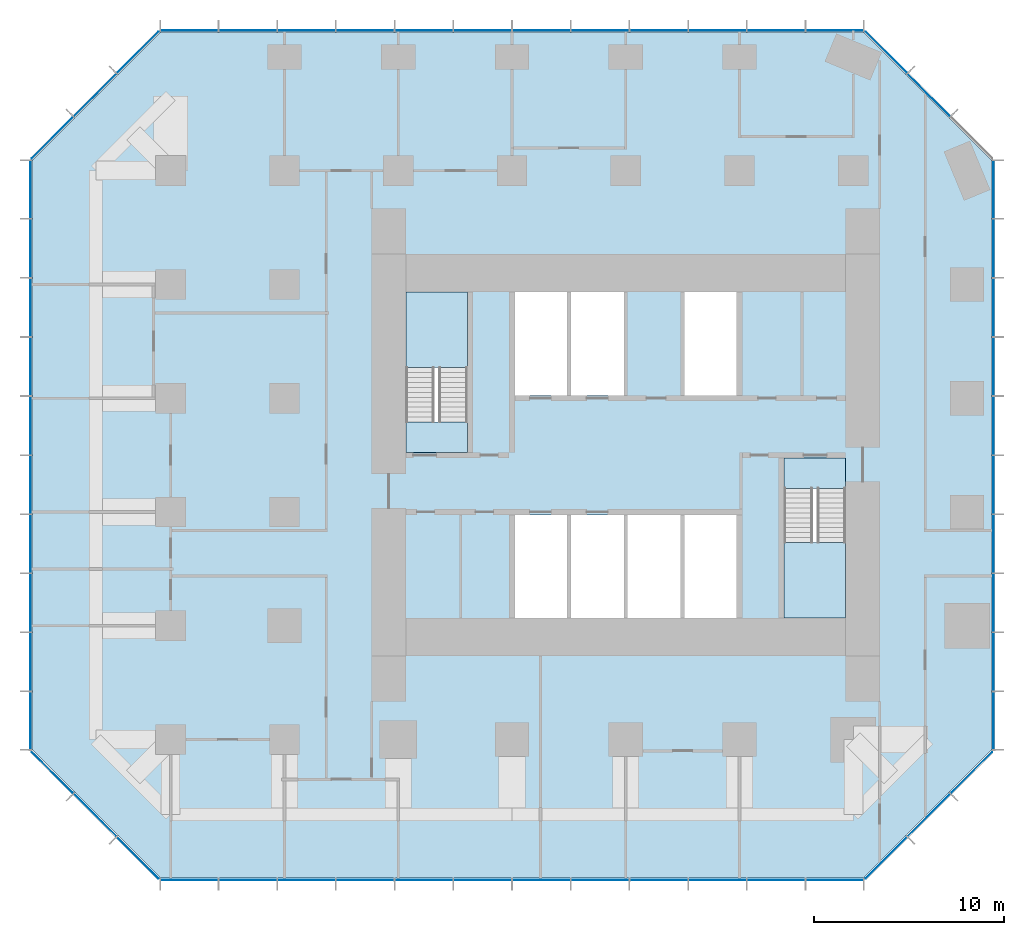
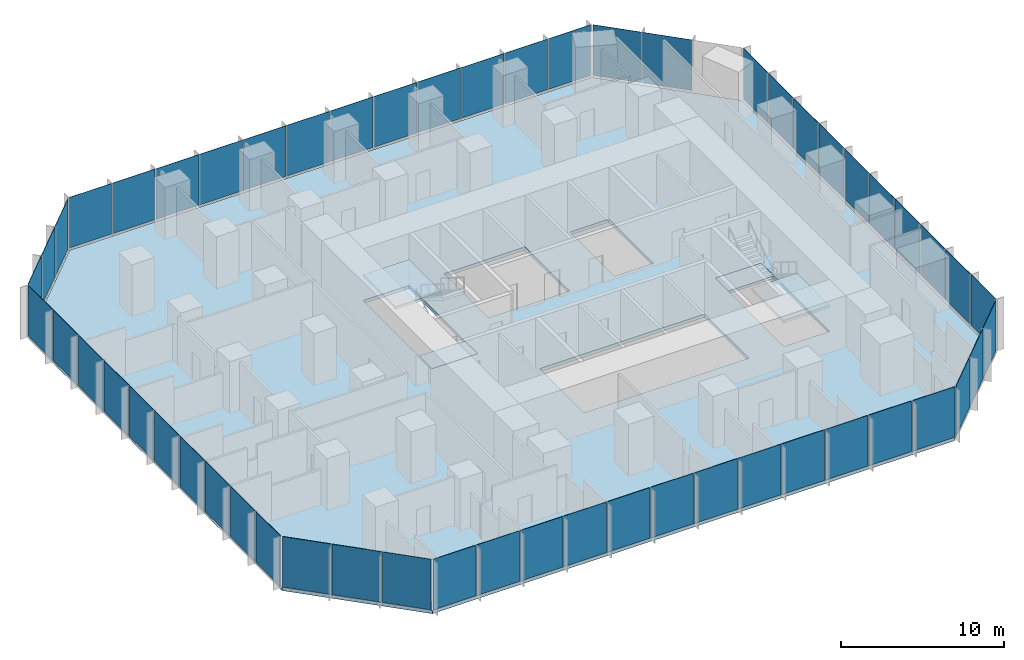
# One storey, part 7 of 11: 55 plates, 5 slabs, 10 elements without a shape of their own.
"""IFC4 building model written with IfcOpenShell, lengths in metres."""

from ifc_helpers import new_model, si_unit, direction, frame, origin, origin_2d, place, context, subcontext, project, spatial, polyline, rectangle, outline, extrude, material, layer, layer_set, type_object, element, aggregate, save


model = new_model("IFC4")

# Units and contexts
model_context = context("Model", 3, precision=1e-05, world=origin(), true_north=direction((0.0, 1.0)))
body_context = subcontext(model_context, "Body", "Model", "MODEL_VIEW")
ifc_project = project(units=[si_unit("LENGTHUNIT", "METRE"), si_unit("AREAUNIT", "SQUARE_METRE"), si_unit("VOLUMEUNIT", "CUBIC_METRE"), si_unit("PLANEANGLEUNIT", "RADIAN"), si_unit("MASSUNIT", "GRAM", prefix="KILO")], contexts=[model_context])

# Site, building, storey
site_placement = place(None, origin())
site = spatial("IfcSite", under=ifc_project, at=site_placement, CompositionType="ELEMENT")
building_placement = place(site_placement, origin())
building = spatial("IfcBuilding", under=site, at=building_placement, Name="Highveld Stack Headquarters", CompositionType="ELEMENT")
storey_placement = place(building_placement, frame((0.0, 0.0, 121.10009765625)))
storey = spatial("IfcBuildingStorey", under=building, at=storey_placement, Name="L29", CompositionType="ELEMENT", Elevation=121.10009765625)

# Curtain wall, plates
ifc_material_1 = material(Name="Aluminium bronze anodised", Category="aluminium")
ifc_layer_1 = layer(ifc_material_1, 0.199951171875)
ifc_layer_set_1 = layer_set([ifc_layer_1], Name="Aluminium bronze anodised")
curtain_wall_type_1 = type_object("IfcCurtainWallType", Name="CW1 TOWER UNITISED CURTAIN WALL", PredefinedType="NOTDEFINED", material=ifc_layer_set_1)
curtain_wall_1_placement = place(storey_placement, origin())
curtain_wall_1 = element("IfcCurtainWall", 1, at=curtain_wall_1_placement, inside=storey, type_object=curtain_wall_type_1, Name="Curtain wall CW1 L29 S", PredefinedType="NOTDEFINED")
ifc_material_2 = material(Name="Glass bronze tinted double glazed unit", Category="glass")
ifc_layer_2 = layer(ifc_material_2, 0.028076171875)
ifc_layer_set_2 = layer_set([ifc_layer_2], Name="Glass bronze tinted double glazed unit")
plate_type_1 = type_object("IfcPlateType", Name="CW1 PANEL BRONZE TINTED DOUBLE GLAZED UNIT", PredefinedType="CURTAIN_PANEL", material=ifc_layer_set_2)
plate_1_placement = place(storey_placement, frame((-17.015380859375, -19.39990234375, 0.10009765625), z_axis=(0.0, 0.0, 1.0), x_axis=(1.0, 0.0, 0.0)))
plate_1 = element("IfcPlate", 2, at=plate_1_placement, type_object=plate_type_1, Name="CW1 panel L29 1.1", PredefinedType="CURTAIN_PANEL", context=body_context, shape_type="SweptSolid", body=[
    extrude(rectangle(XDim=2.9990234375, YDim=0.028076171875, at=origin_2d()), origin(), (0.0, 0.0, 1.0), 3.800048828125),
])
plate_2_placement = place(storey_placement, frame((-13.934814453125, -19.39990234375, 0.10009765625), z_axis=(0.0, 0.0, 1.0), x_axis=(1.0, 0.0, 0.0)))
plate_2 = element("IfcPlate", 3, at=plate_2_placement, type_object=plate_type_1, Name="CW1 panel L29 2.1", PredefinedType="CURTAIN_PANEL", context=body_context, shape_type="SweptSolid", body=[
    extrude(rectangle(XDim=3.031494140625, YDim=0.028076171875, at=origin_2d()), origin(), (0.0, 0.0, 1.0), 3.800048828125),
])
plate_3_placement = place(storey_placement, frame((-10.83837890625, -19.39990234375, 0.10009765625), z_axis=(0.0, 0.0, 1.0), x_axis=(1.0, 0.0, 0.0)))
plate_3 = element("IfcPlate", 4, at=plate_3_placement, type_object=plate_type_1, Name="CW1 panel L29 3.1", PredefinedType="CURTAIN_PANEL", context=body_context, shape_type="SweptSolid", body=[
    extrude(rectangle(XDim=3.031494140625, YDim=0.028076171875, at=origin_2d()), origin(), (0.0, 0.0, 1.0), 3.800048828125),
])
plate_4_placement = place(storey_placement, frame((-7.74169921875, -19.39990234375, 0.10009765625), z_axis=(0.0, 0.0, 1.0), x_axis=(1.0, 0.0, 0.0)))
plate_4 = element("IfcPlate", 5, at=plate_4_placement, type_object=plate_type_1, Name="CW1 panel L29 4.1", PredefinedType="CURTAIN_PANEL", context=body_context, shape_type="SweptSolid", body=[
    extrude(rectangle(XDim=3.031494140625, YDim=0.028076171875, at=origin_2d()), origin(), (0.0, 0.0, 1.0), 3.800048828125),
])
plate_5_placement = place(storey_placement, frame((-4.64501953125, -19.39990234375, 0.10009765625), z_axis=(0.0, 0.0, 1.0), x_axis=(1.0, 0.0, 0.0)))
plate_5 = element("IfcPlate", 6, at=plate_5_placement, type_object=plate_type_1, Name="CW1 panel L29 5.1", PredefinedType="CURTAIN_PANEL", context=body_context, shape_type="SweptSolid", body=[
    extrude(rectangle(XDim=3.031494140625, YDim=0.028076171875, at=origin_2d()), origin(), (0.0, 0.0, 1.0), 3.800048828125),
])
plate_6_placement = place(storey_placement, frame((-1.54833984375, -19.39990234375, 0.10009765625), z_axis=(0.0, 0.0, 1.0), x_axis=(1.0, 0.0, 0.0)))
plate_6 = element("IfcPlate", 7, at=plate_6_placement, type_object=plate_type_1, Name="CW1 panel L29 6.1", PredefinedType="CURTAIN_PANEL", context=body_context, shape_type="SweptSolid", body=[
    extrude(rectangle(XDim=3.031494140625, YDim=0.028076171875, at=origin_2d()), origin(), (0.0, 0.0, 1.0), 3.800048828125),
])
plate_7_placement = place(storey_placement, frame((1.54833984375, -19.39990234375, 0.10009765625), z_axis=(0.0, 0.0, 1.0), x_axis=(1.0, 0.0, 0.0)))
plate_7 = element("IfcPlate", 8, at=plate_7_placement, type_object=plate_type_1, Name="CW1 panel L29 7.1", PredefinedType="CURTAIN_PANEL", context=body_context, shape_type="SweptSolid", body=[
    extrude(rectangle(XDim=3.03173828125, YDim=0.028076171875, at=origin_2d()), origin(), (0.0, 0.0, 1.0), 3.800048828125),
])
plate_8_placement = place(storey_placement, frame((4.64501953125, -19.39990234375, 0.10009765625), z_axis=(0.0, 0.0, 1.0), x_axis=(1.0, 0.0, 0.0)))
plate_8 = element("IfcPlate", 9, at=plate_8_placement, type_object=plate_type_1, Name="CW1 panel L29 8.1", PredefinedType="CURTAIN_PANEL", context=body_context, shape_type="SweptSolid", body=[
    extrude(rectangle(XDim=3.03173828125, YDim=0.028076171875, at=origin_2d()), origin(), (0.0, 0.0, 1.0), 3.800048828125),
])
plate_9_placement = place(storey_placement, frame((7.74169921875, -19.39990234375, 0.10009765625), z_axis=(0.0, 0.0, 1.0), x_axis=(1.0, 0.0, 0.0)))
plate_9 = element("IfcPlate", 10, at=plate_9_placement, type_object=plate_type_1, Name="CW1 panel L29 9.1", PredefinedType="CURTAIN_PANEL", context=body_context, shape_type="SweptSolid", body=[
    extrude(rectangle(XDim=3.03173828125, YDim=0.028076171875, at=origin_2d()), origin(), (0.0, 0.0, 1.0), 3.800048828125),
])
plate_10_placement = place(storey_placement, frame((10.83837890625, -19.39990234375, 0.10009765625), z_axis=(0.0, 0.0, 1.0), x_axis=(1.0, 0.0, 0.0)))
plate_10 = element("IfcPlate", 11, at=plate_10_placement, type_object=plate_type_1, Name="CW1 panel L29 10.1", PredefinedType="CURTAIN_PANEL", context=body_context, shape_type="SweptSolid", body=[
    extrude(rectangle(XDim=3.03173828125, YDim=0.028076171875, at=origin_2d()), origin(), (0.0, 0.0, 1.0), 3.800048828125),
])
plate_11_placement = place(storey_placement, frame((13.934814453125, -19.39990234375, 0.10009765625), z_axis=(0.0, 0.0, 1.0), x_axis=(1.0, 0.0, 0.0)))
plate_11 = element("IfcPlate", 12, at=plate_11_placement, type_object=plate_type_1, Name="CW1 panel L29 11.1", PredefinedType="CURTAIN_PANEL", context=body_context, shape_type="SweptSolid", body=[
    extrude(rectangle(XDim=3.03173828125, YDim=0.028076171875, at=origin_2d()), origin(), (0.0, 0.0, 1.0), 3.800048828125),
])
plate_12_placement = place(storey_placement, frame((17.015380859375, -19.39990234375, 0.10009765625), z_axis=(0.0, 0.0, 1.0), x_axis=(1.0, 0.0, 0.0)))
plate_12 = element("IfcPlate", 13, at=plate_12_placement, type_object=plate_type_1, Name="CW1 panel L29 12.1", PredefinedType="CURTAIN_PANEL", context=body_context, shape_type="SweptSolid", body=[
    extrude(rectangle(XDim=2.999267578125, YDim=0.028076171875, at=origin_2d()), origin(), (0.0, 0.0, 1.0), 3.800048828125),
])
aggregate(curtain_wall_1, [plate_1, plate_2, plate_3, plate_4, plate_5, plate_6, plate_7, plate_8, plate_9, plate_10, plate_11, plate_12])

curtain_wall_2_placement = place(storey_placement, origin())
curtain_wall_2 = element("IfcCurtainWall", 14, at=curtain_wall_2_placement, inside=storey, type_object=curtain_wall_type_1, Name="Curtain wall CW1 L29 E", PredefinedType="NOTDEFINED")
plate_13_placement = place(storey_placement, frame((25.39990234375, -11.005615234375, 0.10009765625), z_axis=(0.0, 0.0, 1.0), x_axis=(0.0, 1.0, 0.0)))
plate_13 = element("IfcPlate", 15, at=plate_13_placement, type_object=plate_type_1, Name="CW1 panel L29 1.1", PredefinedType="CURTAIN_PANEL", context=body_context, shape_type="SweptSolid", body=[
    extrude(rectangle(XDim=3.0185546875, YDim=0.028076171875, at=origin_2d()), origin(), (0.0, 0.0, 1.0), 3.800048828125),
])
plate_14_placement = place(storey_placement, frame((25.39990234375, -7.906005859375, 0.10009765625), z_axis=(0.0, 0.0, 1.0), x_axis=(0.0, 1.0, 0.0)))
plate_14 = element("IfcPlate", 16, at=plate_14_placement, type_object=plate_type_1, Name="CW1 panel L29 2.1", PredefinedType="CURTAIN_PANEL", context=body_context, shape_type="SweptSolid", body=[
    extrude(rectangle(XDim=3.051025390625, YDim=0.028076171875, at=origin_2d()), origin(), (0.0, 0.0, 1.0), 3.800048828125),
])
plate_15_placement = place(storey_placement, frame((25.39990234375, -4.7900390625, 0.10009765625), z_axis=(0.0, 0.0, 1.0), x_axis=(0.0, 1.0, 0.0)))
plate_15 = element("IfcPlate", 17, at=plate_15_placement, type_object=plate_type_1, Name="CW1 panel L29 3.1", PredefinedType="CURTAIN_PANEL", context=body_context, shape_type="SweptSolid", body=[
    extrude(rectangle(XDim=3.051025390625, YDim=0.028076171875, at=origin_2d()), origin(), (0.0, 0.0, 1.0), 3.800048828125),
])
plate_16_placement = place(storey_placement, frame((25.39990234375, -1.674072265625, 0.10009765625), z_axis=(0.0, 0.0, 1.0), x_axis=(0.0, 1.0, 0.0)))
plate_16 = element("IfcPlate", 18, at=plate_16_placement, type_object=plate_type_1, Name="CW1 panel L29 4.1", PredefinedType="CURTAIN_PANEL", context=body_context, shape_type="SweptSolid", body=[
    extrude(rectangle(XDim=3.051025390625, YDim=0.028076171875, at=origin_2d()), origin(), (0.0, 0.0, 1.0), 3.800048828125),
])
plate_17_placement = place(storey_placement, frame((25.39990234375, 1.44189453125, 0.10009765625), z_axis=(0.0, 0.0, 1.0), x_axis=(0.0, 1.0, 0.0)))
plate_17 = element("IfcPlate", 19, at=plate_17_placement, type_object=plate_type_1, Name="CW1 panel L29 5.1", PredefinedType="CURTAIN_PANEL", context=body_context, shape_type="SweptSolid", body=[
    extrude(rectangle(XDim=3.051025390625, YDim=0.028076171875, at=origin_2d()), origin(), (0.0, 0.0, 1.0), 3.800048828125),
])
plate_18_placement = place(storey_placement, frame((25.39990234375, 4.55810546875, 0.10009765625), z_axis=(0.0, 0.0, 1.0), x_axis=(0.0, 1.0, 0.0)))
plate_18 = element("IfcPlate", 20, at=plate_18_placement, type_object=plate_type_1, Name="CW1 panel L29 6.1", PredefinedType="CURTAIN_PANEL", context=body_context, shape_type="SweptSolid", body=[
    extrude(rectangle(XDim=3.051025390625, YDim=0.028076171875, at=origin_2d()), origin(), (0.0, 0.0, 1.0), 3.800048828125),
])
plate_19_placement = place(storey_placement, frame((25.39990234375, 7.674072265625, 0.10009765625), z_axis=(0.0, 0.0, 1.0), x_axis=(0.0, 1.0, 0.0)))
plate_19 = element("IfcPlate", 21, at=plate_19_placement, type_object=plate_type_1, Name="CW1 panel L29 7.1", PredefinedType="CURTAIN_PANEL", context=body_context, shape_type="SweptSolid", body=[
    extrude(rectangle(XDim=3.051025390625, YDim=0.028076171875, at=origin_2d()), origin(), (0.0, 0.0, 1.0), 3.800048828125),
])
plate_20_placement = place(storey_placement, frame((25.39990234375, 10.789794921875, 0.10009765625), z_axis=(0.0, 0.0, 1.0), x_axis=(0.0, 1.0, 0.0)))
plate_20 = element("IfcPlate", 22, at=plate_20_placement, type_object=plate_type_1, Name="CW1 panel L29 8.1", PredefinedType="CURTAIN_PANEL", context=body_context, shape_type="SweptSolid", body=[
    extrude(rectangle(XDim=3.051025390625, YDim=0.028076171875, at=origin_2d()), origin(), (0.0, 0.0, 1.0), 3.800048828125),
])
plate_21_placement = place(storey_placement, frame((25.39990234375, 13.906005859375, 0.10009765625), z_axis=(0.0, 0.0, 1.0), x_axis=(0.0, 1.0, 0.0)))
plate_21 = element("IfcPlate", 23, at=plate_21_placement, type_object=plate_type_1, Name="CW1 panel L29 9.1", PredefinedType="CURTAIN_PANEL", context=body_context, shape_type="SweptSolid", body=[
    extrude(rectangle(XDim=3.051025390625, YDim=0.028076171875, at=origin_2d()), origin(), (0.0, 0.0, 1.0), 3.800048828125),
])
plate_22_placement = place(storey_placement, frame((25.39990234375, 17.005615234375, 0.10009765625), z_axis=(0.0, 0.0, 1.0), x_axis=(0.0, 1.0, 0.0)))
plate_22 = element("IfcPlate", 24, at=plate_22_placement, type_object=plate_type_1, Name="CW1 panel L29 10.1", PredefinedType="CURTAIN_PANEL", context=body_context, shape_type="SweptSolid", body=[
    extrude(rectangle(XDim=3.0185546875, YDim=0.028076171875, at=origin_2d()), origin(), (0.0, 0.0, 1.0), 3.800048828125),
])
aggregate(curtain_wall_2, [plate_13, plate_14, plate_15, plate_16, plate_17, plate_18, plate_19, plate_20, plate_21, plate_22])

curtain_wall_3_placement = place(storey_placement, origin())
curtain_wall_3 = element("IfcCurtainWall", 25, at=curtain_wall_3_placement, inside=storey, type_object=curtain_wall_type_1, Name="Curtain wall CW1 L29 N", PredefinedType="NOTDEFINED")
plate_23_placement = place(storey_placement, frame((17.015380859375, 25.39990234375, 0.10009765625), z_axis=(0.0, 0.0, 1.0), x_axis=(-1.0, 0.0, 0.0)))
plate_23 = element("IfcPlate", 26, at=plate_23_placement, type_object=plate_type_1, Name="CW1 panel L29 1.1", PredefinedType="CURTAIN_PANEL", context=body_context, shape_type="SweptSolid", body=[
    extrude(rectangle(XDim=2.9990234375, YDim=0.028076171875, at=origin_2d()), origin(), (0.0, 0.0, 1.0), 3.800048828125),
])
plate_24_placement = place(storey_placement, frame((13.934814453125, 25.39990234375, 0.10009765625), z_axis=(0.0, 0.0, 1.0), x_axis=(-1.0, 0.0, 0.0)))
plate_24 = element("IfcPlate", 27, at=plate_24_placement, type_object=plate_type_1, Name="CW1 panel L29 2.1", PredefinedType="CURTAIN_PANEL", context=body_context, shape_type="SweptSolid", body=[
    extrude(rectangle(XDim=3.031494140625, YDim=0.028076171875, at=origin_2d()), origin(), (0.0, 0.0, 1.0), 3.800048828125),
])
plate_25_placement = place(storey_placement, frame((10.83837890625, 25.39990234375, 0.10009765625), z_axis=(0.0, 0.0, 1.0), x_axis=(-1.0, 0.0, 0.0)))
plate_25 = element("IfcPlate", 28, at=plate_25_placement, type_object=plate_type_1, Name="CW1 panel L29 3.1", PredefinedType="CURTAIN_PANEL", context=body_context, shape_type="SweptSolid", body=[
    extrude(rectangle(XDim=3.031494140625, YDim=0.028076171875, at=origin_2d()), origin(), (0.0, 0.0, 1.0), 3.800048828125),
])
plate_26_placement = place(storey_placement, frame((7.74169921875, 25.39990234375, 0.10009765625), z_axis=(0.0, 0.0, 1.0), x_axis=(-1.0, 0.0, 0.0)))
plate_26 = element("IfcPlate", 29, at=plate_26_placement, type_object=plate_type_1, Name="CW1 panel L29 4.1", PredefinedType="CURTAIN_PANEL", context=body_context, shape_type="SweptSolid", body=[
    extrude(rectangle(XDim=3.031494140625, YDim=0.028076171875, at=origin_2d()), origin(), (0.0, 0.0, 1.0), 3.800048828125),
])
plate_27_placement = place(storey_placement, frame((4.64501953125, 25.39990234375, 0.10009765625), z_axis=(0.0, 0.0, 1.0), x_axis=(-1.0, 0.0, 0.0)))
plate_27 = element("IfcPlate", 30, at=plate_27_placement, type_object=plate_type_1, Name="CW1 panel L29 5.1", PredefinedType="CURTAIN_PANEL", context=body_context, shape_type="SweptSolid", body=[
    extrude(rectangle(XDim=3.031494140625, YDim=0.028076171875, at=origin_2d()), origin(), (0.0, 0.0, 1.0), 3.800048828125),
])
plate_28_placement = place(storey_placement, frame((1.54833984375, 25.39990234375, 0.10009765625), z_axis=(0.0, 0.0, 1.0), x_axis=(-1.0, 0.0, 0.0)))
plate_28 = element("IfcPlate", 31, at=plate_28_placement, type_object=plate_type_1, Name="CW1 panel L29 6.1", PredefinedType="CURTAIN_PANEL", context=body_context, shape_type="SweptSolid", body=[
    extrude(rectangle(XDim=3.031494140625, YDim=0.028076171875, at=origin_2d()), origin(), (0.0, 0.0, 1.0), 3.800048828125),
])
plate_29_placement = place(storey_placement, frame((-1.54833984375, 25.39990234375, 0.10009765625), z_axis=(0.0, 0.0, 1.0), x_axis=(-1.0, 0.0, 0.0)))
plate_29 = element("IfcPlate", 32, at=plate_29_placement, type_object=plate_type_1, Name="CW1 panel L29 7.1", PredefinedType="CURTAIN_PANEL", context=body_context, shape_type="SweptSolid", body=[
    extrude(rectangle(XDim=3.03173828125, YDim=0.028076171875, at=origin_2d()), origin(), (0.0, 0.0, 1.0), 3.800048828125),
])
plate_30_placement = place(storey_placement, frame((-4.64501953125, 25.39990234375, 0.10009765625), z_axis=(0.0, 0.0, 1.0), x_axis=(-1.0, 0.0, 0.0)))
plate_30 = element("IfcPlate", 33, at=plate_30_placement, type_object=plate_type_1, Name="CW1 panel L29 8.1", PredefinedType="CURTAIN_PANEL", context=body_context, shape_type="SweptSolid", body=[
    extrude(rectangle(XDim=3.03173828125, YDim=0.028076171875, at=origin_2d()), origin(), (0.0, 0.0, 1.0), 3.800048828125),
])
plate_31_placement = place(storey_placement, frame((-7.74169921875, 25.39990234375, 0.10009765625), z_axis=(0.0, 0.0, 1.0), x_axis=(-1.0, 0.0, 0.0)))
plate_31 = element("IfcPlate", 34, at=plate_31_placement, type_object=plate_type_1, Name="CW1 panel L29 9.1", PredefinedType="CURTAIN_PANEL", context=body_context, shape_type="SweptSolid", body=[
    extrude(rectangle(XDim=3.03173828125, YDim=0.028076171875, at=origin_2d()), origin(), (0.0, 0.0, 1.0), 3.800048828125),
])
plate_32_placement = place(storey_placement, frame((-10.83837890625, 25.39990234375, 0.10009765625), z_axis=(0.0, 0.0, 1.0), x_axis=(-1.0, 0.0, 0.0)))
plate_32 = element("IfcPlate", 35, at=plate_32_placement, type_object=plate_type_1, Name="CW1 panel L29 10.1", PredefinedType="CURTAIN_PANEL", context=body_context, shape_type="SweptSolid", body=[
    extrude(rectangle(XDim=3.03173828125, YDim=0.028076171875, at=origin_2d()), origin(), (0.0, 0.0, 1.0), 3.800048828125),
])
plate_33_placement = place(storey_placement, frame((-13.934814453125, 25.39990234375, 0.10009765625), z_axis=(0.0, 0.0, 1.0), x_axis=(-1.0, 0.0, 0.0)))
plate_33 = element("IfcPlate", 36, at=plate_33_placement, type_object=plate_type_1, Name="CW1 panel L29 11.1", PredefinedType="CURTAIN_PANEL", context=body_context, shape_type="SweptSolid", body=[
    extrude(rectangle(XDim=3.03173828125, YDim=0.028076171875, at=origin_2d()), origin(), (0.0, 0.0, 1.0), 3.800048828125),
])
plate_34_placement = place(storey_placement, frame((-17.015380859375, 25.39990234375, 0.10009765625), z_axis=(0.0, 0.0, 1.0), x_axis=(-1.0, 0.0, 0.0)))
plate_34 = element("IfcPlate", 37, at=plate_34_placement, type_object=plate_type_1, Name="CW1 panel L29 12.1", PredefinedType="CURTAIN_PANEL", context=body_context, shape_type="SweptSolid", body=[
    extrude(rectangle(XDim=2.999267578125, YDim=0.028076171875, at=origin_2d()), origin(), (0.0, 0.0, 1.0), 3.800048828125),
])
aggregate(curtain_wall_3, [plate_23, plate_24, plate_25, plate_26, plate_27, plate_28, plate_29, plate_30, plate_31, plate_32, plate_33, plate_34])

curtain_wall_4_placement = place(storey_placement, origin())
curtain_wall_4 = element("IfcCurtainWall", 38, at=curtain_wall_4_placement, inside=storey, type_object=curtain_wall_type_1, Name="Curtain wall CW1 L29 W", PredefinedType="NOTDEFINED")
plate_35_placement = place(storey_placement, frame((-25.39990234375, 17.005615234375, 0.10009765625), z_axis=(0.0, 0.0, 1.0), x_axis=(0.0, -1.0, 0.0)))
plate_35 = element("IfcPlate", 39, at=plate_35_placement, type_object=plate_type_1, Name="CW1 panel L29 1.1", PredefinedType="CURTAIN_PANEL", context=body_context, shape_type="SweptSolid", body=[
    extrude(rectangle(XDim=3.0185546875, YDim=0.028076171875, at=origin_2d()), origin(), (0.0, 0.0, 1.0), 3.800048828125),
])
plate_36_placement = place(storey_placement, frame((-25.39990234375, 13.906005859375, 0.10009765625), z_axis=(0.0, 0.0, 1.0), x_axis=(0.0, -1.0, 0.0)))
plate_36 = element("IfcPlate", 40, at=plate_36_placement, type_object=plate_type_1, Name="CW1 panel L29 2.1", PredefinedType="CURTAIN_PANEL", context=body_context, shape_type="SweptSolid", body=[
    extrude(rectangle(XDim=3.051025390625, YDim=0.028076171875, at=origin_2d()), origin(), (0.0, 0.0, 1.0), 3.800048828125),
])
plate_37_placement = place(storey_placement, frame((-25.39990234375, 10.7900390625, 0.10009765625), z_axis=(0.0, 0.0, 1.0), x_axis=(0.0, -1.0, 0.0)))
plate_37 = element("IfcPlate", 41, at=plate_37_placement, type_object=plate_type_1, Name="CW1 panel L29 3.1", PredefinedType="CURTAIN_PANEL", context=body_context, shape_type="SweptSolid", body=[
    extrude(rectangle(XDim=3.051025390625, YDim=0.028076171875, at=origin_2d()), origin(), (0.0, 0.0, 1.0), 3.800048828125),
])
plate_38_placement = place(storey_placement, frame((-25.39990234375, 7.674072265625, 0.10009765625), z_axis=(0.0, 0.0, 1.0), x_axis=(0.0, -1.0, 0.0)))
plate_38 = element("IfcPlate", 42, at=plate_38_placement, type_object=plate_type_1, Name="CW1 panel L29 4.1", PredefinedType="CURTAIN_PANEL", context=body_context, shape_type="SweptSolid", body=[
    extrude(rectangle(XDim=3.051025390625, YDim=0.028076171875, at=origin_2d()), origin(), (0.0, 0.0, 1.0), 3.800048828125),
])
plate_39_placement = place(storey_placement, frame((-25.39990234375, 4.55810546875, 0.10009765625), z_axis=(0.0, 0.0, 1.0), x_axis=(0.0, -1.0, 0.0)))
plate_39 = element("IfcPlate", 43, at=plate_39_placement, type_object=plate_type_1, Name="CW1 panel L29 5.1", PredefinedType="CURTAIN_PANEL", context=body_context, shape_type="SweptSolid", body=[
    extrude(rectangle(XDim=3.051025390625, YDim=0.028076171875, at=origin_2d()), origin(), (0.0, 0.0, 1.0), 3.800048828125),
])
plate_40_placement = place(storey_placement, frame((-25.39990234375, 1.44189453125, 0.10009765625), z_axis=(0.0, 0.0, 1.0), x_axis=(0.0, -1.0, 0.0)))
plate_40 = element("IfcPlate", 44, at=plate_40_placement, type_object=plate_type_1, Name="CW1 panel L29 6.1", PredefinedType="CURTAIN_PANEL", context=body_context, shape_type="SweptSolid", body=[
    extrude(rectangle(XDim=3.051025390625, YDim=0.028076171875, at=origin_2d()), origin(), (0.0, 0.0, 1.0), 3.800048828125),
])
plate_41_placement = place(storey_placement, frame((-25.39990234375, -1.674072265625, 0.10009765625), z_axis=(0.0, 0.0, 1.0), x_axis=(0.0, -1.0, 0.0)))
plate_41 = element("IfcPlate", 45, at=plate_41_placement, type_object=plate_type_1, Name="CW1 panel L29 7.1", PredefinedType="CURTAIN_PANEL", context=body_context, shape_type="SweptSolid", body=[
    extrude(rectangle(XDim=3.051025390625, YDim=0.028076171875, at=origin_2d()), origin(), (0.0, 0.0, 1.0), 3.800048828125),
])
plate_42_placement = place(storey_placement, frame((-25.39990234375, -4.789794921875, 0.10009765625), z_axis=(0.0, 0.0, 1.0), x_axis=(0.0, -1.0, 0.0)))
plate_42 = element("IfcPlate", 46, at=plate_42_placement, type_object=plate_type_1, Name="CW1 panel L29 8.1", PredefinedType="CURTAIN_PANEL", context=body_context, shape_type="SweptSolid", body=[
    extrude(rectangle(XDim=3.051025390625, YDim=0.028076171875, at=origin_2d()), origin(), (0.0, 0.0, 1.0), 3.800048828125),
])
plate_43_placement = place(storey_placement, frame((-25.39990234375, -7.906005859375, 0.10009765625), z_axis=(0.0, 0.0, 1.0), x_axis=(0.0, -1.0, 0.0)))
plate_43 = element("IfcPlate", 47, at=plate_43_placement, type_object=plate_type_1, Name="CW1 panel L29 9.1", PredefinedType="CURTAIN_PANEL", context=body_context, shape_type="SweptSolid", body=[
    extrude(rectangle(XDim=3.051025390625, YDim=0.028076171875, at=origin_2d()), origin(), (0.0, 0.0, 1.0), 3.800048828125),
])
plate_44_placement = place(storey_placement, frame((-25.39990234375, -11.005615234375, 0.10009765625), z_axis=(0.0, 0.0, 1.0), x_axis=(0.0, -1.0, 0.0)))
plate_44 = element("IfcPlate", 48, at=plate_44_placement, type_object=plate_type_1, Name="CW1 panel L29 10.1", PredefinedType="CURTAIN_PANEL", context=body_context, shape_type="SweptSolid", body=[
    extrude(rectangle(XDim=3.0185546875, YDim=0.028076171875, at=origin_2d()), origin(), (0.0, 0.0, 1.0), 3.800048828125),
])
aggregate(curtain_wall_4, [plate_35, plate_36, plate_37, plate_38, plate_39, plate_40, plate_41, plate_42, plate_43, plate_44])

ifc_material_3 = material(Name="Aluminium bronze anodised", Category="aluminium")
ifc_layer_3 = layer(ifc_material_3, 0.199951171875)
ifc_layer_set_3 = layer_set([ifc_layer_3], Name="Aluminium bronze anodised")
curtain_wall_type_2 = type_object("IfcCurtainWallType", Name="CW2 TOWER CHAMFER UNITISED CURTAIN WALL", PredefinedType="NOTDEFINED", material=ifc_layer_set_3)
curtain_wall_5_placement = place(storey_placement, origin())
curtain_wall_5 = element("IfcCurtainWall", 49, at=curtain_wall_5_placement, inside=storey, type_object=curtain_wall_type_2, Name="Curtain wall CW2 L29 SE", PredefinedType="NOTDEFINED")
ifc_material_4 = material(Name="Glass bronze tinted double glazed unit", Category="glass")
ifc_layer_4 = layer(ifc_material_4, 0.028076171875)
ifc_layer_set_4 = layer_set([ifc_layer_4], Name="Glass bronze tinted double glazed unit")
plate_type_2 = type_object("IfcPlateType", Name="CW2 PANEL BRONZE TINTED DOUBLE GLAZED UNIT", PredefinedType="CURTAIN_PANEL", material=ifc_layer_set_4)
plate_45_placement = place(storey_placement, frame((19.740478515625, -18.239501953125, 0.10009765625), z_axis=(0.0, 0.0, 1.0), x_axis=(0.707106781187, 0.707106781187, 0.0)))
plate_45 = element("IfcPlate", 50, at=plate_45_placement, type_object=plate_type_2, Name="CW2 panel L29 1.1", PredefinedType="CURTAIN_PANEL", context=body_context, shape_type="SweptSolid", body=[
    extrude(rectangle(XDim=3.08251953125, YDim=0.028076171875, at=origin_2d()), origin(), (0.0, 0.0, 1.0), 3.800048828125),
])
plate_46_placement = place(storey_placement, frame((21.989990234375, -15.989990234375, 0.10009765625), z_axis=(0.0, 0.0, 1.0), x_axis=(0.707106781187, 0.707106781187, 0.0)))
plate_46 = element("IfcPlate", 51, at=plate_46_placement, type_object=plate_type_2, Name="CW2 panel L29 2.1", PredefinedType="CURTAIN_PANEL", context=body_context, shape_type="SweptSolid", body=[
    extrude(rectangle(XDim=3.14990234375, YDim=0.028076171875, at=origin_2d()), origin(), (0.0, 0.0, 1.0), 3.800048828125),
])
plate_47_placement = place(storey_placement, frame((24.239501953125, -13.740478515625, 0.10009765625), z_axis=(0.0, 0.0, 1.0), x_axis=(0.707106781187, 0.707106781187, 0.0)))
plate_47 = element("IfcPlate", 52, at=plate_47_placement, type_object=plate_type_2, Name="CW2 panel L29 3.1", PredefinedType="CURTAIN_PANEL", context=body_context, shape_type="SweptSolid", body=[
    extrude(rectangle(XDim=3.08251953125, YDim=0.028076171875, at=origin_2d()), origin(), (0.0, 0.0, 1.0), 3.800048828125),
])
aggregate(curtain_wall_5, [plate_45, plate_46, plate_47])

curtain_wall_6_placement = place(storey_placement, origin())
curtain_wall_6 = element("IfcCurtainWall", 53, at=curtain_wall_6_placement, inside=storey, type_object=curtain_wall_type_2, Name="Curtain wall CW2 L29 NE", PredefinedType="NOTDEFINED")
plate_48_placement = place(storey_placement, frame((21.989990234375, 21.989990234375, 0.10009765625), z_axis=(0.0, 0.0, 1.0), x_axis=(-0.707106781187, 0.707106781187, 0.0)))
plate_48 = element("IfcPlate", 54, at=plate_48_placement, type_object=plate_type_2, Name="CW2 panel L29 2.1", PredefinedType="CURTAIN_PANEL", context=body_context, shape_type="SweptSolid", body=[
    extrude(rectangle(XDim=3.14990234375, YDim=0.028076171875, at=origin_2d()), origin(), (0.0, 0.0, 1.0), 3.800048828125),
])
plate_49_placement = place(storey_placement, frame((19.740478515625, 24.239501953125, 0.10009765625), z_axis=(0.0, 0.0, 1.0), x_axis=(-0.707106781187, 0.707106781187, 0.0)))
plate_49 = element("IfcPlate", 55, at=plate_49_placement, type_object=plate_type_2, Name="CW2 panel L29 3.1", PredefinedType="CURTAIN_PANEL", context=body_context, shape_type="SweptSolid", body=[
    extrude(rectangle(XDim=3.08251953125, YDim=0.028076171875, at=origin_2d()), origin(), (0.0, 0.0, 1.0), 3.800048828125),
])
aggregate(curtain_wall_6, [plate_48, plate_49])

curtain_wall_7_placement = place(storey_placement, origin())
curtain_wall_7 = element("IfcCurtainWall", 56, at=curtain_wall_7_placement, inside=storey, type_object=curtain_wall_type_2, Name="Curtain wall CW2 L29 NW", PredefinedType="NOTDEFINED")
plate_50_placement = place(storey_placement, frame((-19.740478515625, 24.239501953125, 0.10009765625), z_axis=(0.0, 0.0, 1.0), x_axis=(-0.707106781187, -0.707106781187, 0.0)))
plate_50 = element("IfcPlate", 57, at=plate_50_placement, type_object=plate_type_2, Name="CW2 panel L29 1.1", PredefinedType="CURTAIN_PANEL", context=body_context, shape_type="SweptSolid", body=[
    extrude(rectangle(XDim=3.08251953125, YDim=0.028076171875, at=origin_2d()), origin(), (0.0, 0.0, 1.0), 3.800048828125),
])
plate_51_placement = place(storey_placement, frame((-21.989990234375, 21.989990234375, 0.10009765625), z_axis=(0.0, 0.0, 1.0), x_axis=(-0.707106781187, -0.707106781187, 0.0)))
plate_51 = element("IfcPlate", 58, at=plate_51_placement, type_object=plate_type_2, Name="CW2 panel L29 2.1", PredefinedType="CURTAIN_PANEL", context=body_context, shape_type="SweptSolid", body=[
    extrude(rectangle(XDim=3.14990234375, YDim=0.028076171875, at=origin_2d()), origin(), (0.0, 0.0, 1.0), 3.800048828125),
])
plate_52_placement = place(storey_placement, frame((-24.239501953125, 19.740478515625, 0.10009765625), z_axis=(0.0, 0.0, 1.0), x_axis=(-0.707106781187, -0.707106781187, 0.0)))
plate_52 = element("IfcPlate", 59, at=plate_52_placement, type_object=plate_type_2, Name="CW2 panel L29 3.1", PredefinedType="CURTAIN_PANEL", context=body_context, shape_type="SweptSolid", body=[
    extrude(rectangle(XDim=3.08251953125, YDim=0.028076171875, at=origin_2d()), origin(), (0.0, 0.0, 1.0), 3.800048828125),
])
aggregate(curtain_wall_7, [plate_50, plate_51, plate_52])

curtain_wall_8_placement = place(storey_placement, origin())
curtain_wall_8 = element("IfcCurtainWall", 60, at=curtain_wall_8_placement, inside=storey, type_object=curtain_wall_type_2, Name="Curtain wall CW2 L29 SW", PredefinedType="NOTDEFINED")
plate_53_placement = place(storey_placement, frame((-24.239501953125, -13.740478515625, 0.10009765625), z_axis=(0.0, 0.0, 1.0), x_axis=(0.707106781187, -0.707106781187, 0.0)))
plate_53 = element("IfcPlate", 61, at=plate_53_placement, type_object=plate_type_2, Name="CW2 panel L29 1.1", PredefinedType="CURTAIN_PANEL", context=body_context, shape_type="SweptSolid", body=[
    extrude(rectangle(XDim=3.08251953125, YDim=0.028076171875, at=origin_2d()), origin(), (0.0, 0.0, 1.0), 3.800048828125),
])
plate_54_placement = place(storey_placement, frame((-21.989990234375, -15.989990234375, 0.10009765625), z_axis=(0.0, 0.0, 1.0), x_axis=(0.707106781187, -0.707106781187, 0.0)))
plate_54 = element("IfcPlate", 62, at=plate_54_placement, type_object=plate_type_2, Name="CW2 panel L29 2.1", PredefinedType="CURTAIN_PANEL", context=body_context, shape_type="SweptSolid", body=[
    extrude(rectangle(XDim=3.14990234375, YDim=0.028076171875, at=origin_2d()), origin(), (0.0, 0.0, 1.0), 3.800048828125),
])
plate_55_placement = place(storey_placement, frame((-19.740478515625, -18.239501953125, 0.10009765625), z_axis=(0.0, 0.0, 1.0), x_axis=(0.707106781187, -0.707106781187, 0.0)))
plate_55 = element("IfcPlate", 63, at=plate_55_placement, type_object=plate_type_2, Name="CW2 panel L29 3.1", PredefinedType="CURTAIN_PANEL", context=body_context, shape_type="SweptSolid", body=[
    extrude(rectangle(XDim=3.08251953125, YDim=0.028076171875, at=origin_2d()), origin(), (0.0, 0.0, 1.0), 3.800048828125),
])
aggregate(curtain_wall_8, [plate_53, plate_54, plate_55])

# Slab
ifc_material_5 = material(Name="Concrete C60/75", Category="concrete")
ifc_layer_5 = layer(ifc_material_5, 0.25)
ifc_layer_set_5 = layer_set([ifc_layer_5], Name="Concrete C60/75")
slab_type_1 = type_object("IfcSlabType", Name="PT FLAT SLAB 250", PredefinedType="FLOOR", material=ifc_layer_set_5)
slab_1_placement = place(storey_placement, frame((0.0, 0.0, -0.25)))
element("IfcSlab", 64, at=slab_1_placement, inside=storey, type_object=slab_type_1, Name="Floor slab L29", PredefinedType="FLOOR", context=body_context, shape_type="SweptSolid", body=[
    extrude(outline(polyline([(-18.53857421875, -19.300048828125), (18.53857421875, -19.300048828125), (25.300048828125, -12.53857421875), (25.300048828125, 18.53857421875), (18.53857421875, 25.300048828125), (-18.53857421875, 25.300048828125), (-25.300048828125, 18.53857421875), (-25.300048828125, -12.53857421875), (-18.53857421875, -19.300048828125)]), holes=[polyline([(0.14990234375, 6.14990234375), (5.89990234375, 6.14990234375), (5.89990234375, 11.60009765625), (0.14990234375, 11.60009765625), (0.14990234375, 6.14990234375)]), polyline([(9.10009765625, 6.14990234375), (11.85009765625, 6.14990234375), (11.85009765625, 11.60009765625), (9.10009765625, 11.60009765625), (9.10009765625, 6.14990234375)]), polyline([(0.14990234375, -5.60009765625), (11.85009765625, -5.60009765625), (11.85009765625, -0.14990234375), (0.14990234375, -0.14990234375), (0.14990234375, -5.60009765625)]), polyline([(-5.60009765625, 3.14990234375), (-2.35009765625, 3.14990234375), (-2.35009765625, 11.60009765625), (-5.60009765625, 11.60009765625), (-5.60009765625, 3.14990234375)]), polyline([(14.35009765625, -5.60009765625), (17.60009765625, -5.60009765625), (17.60009765625, 2.85009765625), (14.35009765625, 2.85009765625), (14.35009765625, -5.60009765625)])]), origin(), (0.0, 0.0, 1.0), 0.25),
])

# Stair, slabs
ifc_material_6 = material(Name="Concrete C40/50, precast", Category="concrete")
stair_type_1 = type_object("IfcStairType", Name="STAIR S1 HALF TURN 1500", PredefinedType="HALF_TURN_STAIR", material=ifc_material_6)
stair_1_placement = place(storey_placement, origin())
stair_1 = element("IfcStair", 65, at=stair_1_placement, inside=storey, type_object=stair_type_1, Name="Stair S1 L29", PredefinedType="HALF_TURN_STAIR")
ifc_material_7 = material(Name="Concrete C40/50, precast", Category="concrete")
ifc_layer_6 = layer(ifc_material_7, 0.199951171875)
ifc_layer_set_6 = layer_set([ifc_layer_6], Name="Concrete C40/50, precast")
slab_type_2 = type_object("IfcSlabType", Name="STAIR LANDING 200", PredefinedType="LANDING", material=ifc_layer_set_6)
slab_2_placement = place(storey_placement, frame((0.0, 0.0, 1.75)))
slab_2 = element("IfcSlab", 66, at=slab_2_placement, type_object=slab_type_2, Name="S1 landing 1", PredefinedType="LANDING", context=body_context, shape_type="SweptSolid", body=[
    extrude(outline(polyline([(-5.60009765625, 7.610107421875), (-2.35009765625, 7.610107421875), (-2.35009765625, 11.60009765625), (-5.60009765625, 11.60009765625), (-5.60009765625, 7.610107421875)])), origin(), (0.0, 0.0, 1.0), 0.199951171875),
])
slab_3_placement = place(storey_placement, frame((0.0, 0.0, -0.2001953125)))
slab_3 = element("IfcSlab", 67, at=slab_3_placement, type_object=slab_type_2, Name="S1 landing 2", PredefinedType="LANDING", context=body_context, shape_type="SweptSolid", body=[
    extrude(outline(polyline([(-5.60009765625, 3.14990234375), (-2.35009765625, 3.14990234375), (-2.35009765625, 4.75), (-5.60009765625, 4.75), (-5.60009765625, 3.14990234375)])), origin(), (0.0, 0.0, 1.0), 0.2001953125),
])
aggregate(stair_1, [slab_2, slab_3])

ifc_material_8 = material(Name="Concrete C40/50, precast", Category="concrete")
stair_type_2 = type_object("IfcStairType", Name="STAIR S2 HALF TURN 1500", PredefinedType="HALF_TURN_STAIR", material=ifc_material_8)
stair_2_placement = place(storey_placement, origin())
stair_2 = element("IfcStair", 68, at=stair_2_placement, inside=storey, type_object=stair_type_2, Name="Stair S2 L29", PredefinedType="HALF_TURN_STAIR")
slab_4_placement = place(storey_placement, frame((0.0, 0.0, 1.75)))
slab_4 = element("IfcSlab", 69, at=slab_4_placement, type_object=slab_type_2, Name="S2 landing 1", PredefinedType="LANDING", context=body_context, shape_type="SweptSolid", body=[
    extrude(outline(polyline([(14.35009765625, -5.60009765625), (17.60009765625, -5.60009765625), (17.60009765625, -1.610107421875), (14.35009765625, -1.610107421875), (14.35009765625, -5.60009765625)])), origin(), (0.0, 0.0, 1.0), 0.199951171875),
])
slab_5_placement = place(storey_placement, frame((0.0, 0.0, -0.2001953125)))
slab_5 = element("IfcSlab", 70, at=slab_5_placement, type_object=slab_type_2, Name="S2 landing 2", PredefinedType="LANDING", context=body_context, shape_type="SweptSolid", body=[
    extrude(outline(polyline([(14.35009765625, 1.25), (17.60009765625, 1.25), (17.60009765625, 2.85009765625), (14.35009765625, 2.85009765625), (14.35009765625, 1.25)])), origin(), (0.0, 0.0, 1.0), 0.2001953125),
])
aggregate(stair_2, [slab_4, slab_5])

save(model, "model.ifc")
